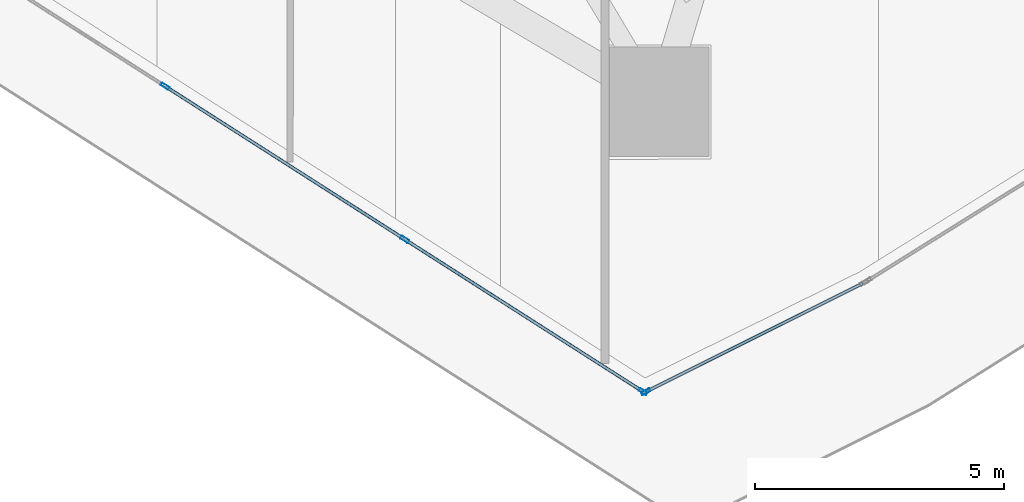
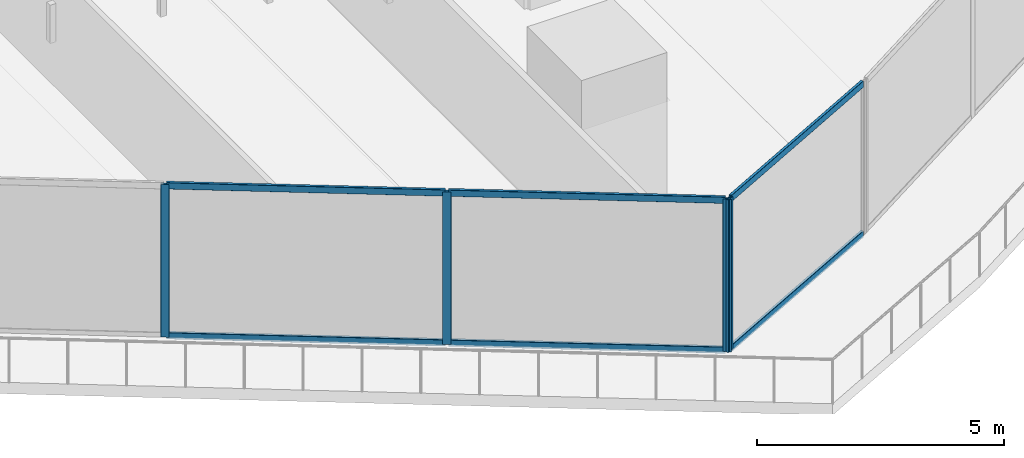
# One storey, part 7 of 45: 10 members, 2 elements without a shape of their own.
"""IFC4 building model written with IfcOpenShell, lengths in metres."""

from ifc_helpers import new_model, si_unit, direction, frame, origin, origin_2d, place, context, subcontext, project, spatial, hollow_rectangle, extrude, material, layer, layer_set, material_profile, profile_set, type_object, element, aggregate, save


model = new_model("IFC4")

# Units and contexts
model_context = context("Model", 3, precision=1e-05, world=origin(), true_north=direction((0.0, 1.0)))
body_context = subcontext(model_context, "Body", "Model", "MODEL_VIEW")
ifc_project = project(units=[si_unit("LENGTHUNIT", "METRE"), si_unit("AREAUNIT", "SQUARE_METRE"), si_unit("VOLUMEUNIT", "CUBIC_METRE"), si_unit("PLANEANGLEUNIT", "RADIAN"), si_unit("MASSUNIT", "GRAM", prefix="KILO")], contexts=[model_context])

# Site, building, storey
site_placement = place(None, origin())
site = spatial("IfcSite", under=ifc_project, at=site_placement, CompositionType="ELEMENT")
building_placement = place(site_placement, origin())
building = spatial("IfcBuilding", under=site, at=building_placement, Name="Qorvath Tower", CompositionType="ELEMENT")
storey_placement = place(building_placement, frame((0.0, 0.0, 109.800048828125)))
storey = spatial("IfcBuildingStorey", under=building, at=storey_placement, Name="L24", CompositionType="ELEMENT", Elevation=109.800048828125)

# Curtain wall, members
ifc_material_1 = material(Name="Anodised aluminium and triple low-E glass", Category="aluminium")
ifc_layer = layer(ifc_material_1, 0.179931640625)
ifc_layer_set = layer_set([ifc_layer], Name="CW-SYS-2")
curtain_wall_type = type_object("IfcCurtainWallType", Name="CW-SYS-2", PredefinedType="NOTDEFINED", material=ifc_layer_set)
curtain_wall_1_placement = place(storey_placement, origin())
curtain_wall_1 = element("IfcCurtainWall", 1, at=curtain_wall_1_placement, inside=storey, type_object=curtain_wall_type, Name="Curtain Wall CW-2 CW-T-L24-2.2", PredefinedType="NOTDEFINED")
ifc_material_2 = material(Name="Anodised aluminium 6063-T6", Category="aluminium")
ifc_material_profile_1 = material_profile(ifc_material_2, hollow_rectangle(XDim=0.06494140625, YDim=0.179931640625, WallThickness=0.00341796875, InnerFilletRadius=0.00341796875, OuterFilletRadius=0.007080078125, at=origin_2d()), Name="CWM 180x65")
ifc_profile_set_1 = profile_set([ifc_material_profile_1], Name="Anodised aluminium 6063-T6")
member_type_1 = type_object("IfcMemberType", Name="CWM-180", PredefinedType="MULLION", material=ifc_profile_set_1)
member_1_placement = place(storey_placement, frame((-25.2607421875, -24.93115234375, 0.0), z_axis=(0.0, 0.0, 1.0), x_axis=(0.538538275895, 0.842601047588, 0.0)))
member_1 = element("IfcMember", 2, at=member_1_placement, type_object=member_type_1, Name="CW-2 mullion 3", PredefinedType="MULLION", context=body_context, shape_type="SweptSolid", body=[
    extrude(hollow_rectangle(XDim=0.06494140625, YDim=0.179931640625, WallThickness=0.00341796875, InnerFilletRadius=0.00341796875, OuterFilletRadius=0.007080078125, at=origin_2d()), origin(), (0.0, 0.0, 1.0), 3.77001953125),
])
member_2_placement = place(storey_placement, frame((-20.450439453125, -28.005859375, 0.0), z_axis=(0.0, 0.0, 1.0), x_axis=(0.538538275895, 0.842601047588, 0.0)))
member_2 = element("IfcMember", 3, at=member_2_placement, type_object=member_type_1, Name="CW-2 mullion 4", PredefinedType="MULLION", context=body_context, shape_type="SweptSolid", body=[
    extrude(hollow_rectangle(XDim=0.06494140625, YDim=0.179931640625, WallThickness=0.00341796875, InnerFilletRadius=0.00341796875, OuterFilletRadius=0.007080078125, at=origin_2d()), origin(), (0.0, 0.0, 1.0), 3.77001953125),
])
member_3_placement = place(storey_placement, frame((-15.667236328125, -31.062744140625, 0.0), z_axis=(0.0, 0.0, 1.0), x_axis=(0.538538275895, 0.842601047588, 0.0)))
member_3 = element("IfcMember", 4, at=member_3_placement, type_object=member_type_1, Name="CW-2 mullion 5", PredefinedType="MULLION", context=body_context, shape_type="SweptSolid", body=[
    extrude(hollow_rectangle(XDim=0.06494140625, YDim=0.179931640625, WallThickness=0.00341796875, InnerFilletRadius=0.00341796875, OuterFilletRadius=0.007080078125, at=origin_2d()), origin(), (0.0, 0.0, 1.0), 3.77001953125),
])

# Curtain wall, member
curtain_wall_2_placement = place(storey_placement, origin())
curtain_wall_2 = element("IfcCurtainWall", 5, at=curtain_wall_2_placement, inside=storey, type_object=curtain_wall_type, Name="Curtain Wall CW-2 CW-T-L24-3.1", PredefinedType="NOTDEFINED")
member_4_placement = place(storey_placement, frame((-15.61083984375, -31.065673828125, 0.0), z_axis=(0.0, 0.0, 1.0), x_axis=(-0.447181364469, 0.89444330579, 0.0)))
member_4 = element("IfcMember", 6, at=member_4_placement, type_object=member_type_1, Name="CW-2 mullion 1", PredefinedType="MULLION", context=body_context, shape_type="SweptSolid", body=[
    extrude(hollow_rectangle(XDim=0.06494140625, YDim=0.179931640625, WallThickness=0.00341796875, InnerFilletRadius=0.00341796875, OuterFilletRadius=0.007080078125, at=origin_2d()), origin(), (0.0, 0.0, 1.0), 3.77001953125),
])

# Member
ifc_material_3 = material(Name="Anodised aluminium 6063-T6", Category="aluminium")
ifc_material_profile_2 = material_profile(ifc_material_3, hollow_rectangle(XDim=0.06494140625, YDim=0.159912109375, WallThickness=0.00341796875, InnerFilletRadius=0.00341796875, OuterFilletRadius=0.007080078125, at=origin_2d()), Name="CWT 160x65")
ifc_profile_set_2 = profile_set([ifc_material_profile_2], Name="Anodised aluminium 6063-T6")
member_type_2 = type_object("IfcMemberType", Name="CWT-160", PredefinedType="USERDEFINED", material=ifc_profile_set_2)
member_5_placement = place(storey_placement, frame((-25.2333984375, -24.94873046875, 0.032470703125), z_axis=(0.84259648245, -0.538545418477, 0.0), x_axis=(0.538545418477, 0.84259648245, 0.0)))
member_5 = element("IfcMember", 7, at=member_5_placement, type_object=member_type_2, Name="CW-2 transom 3.1", ObjectType="TRANSOM", PredefinedType="USERDEFINED", context=body_context, shape_type="SweptSolid", body=[
    extrude(hollow_rectangle(XDim=0.06494140625, YDim=0.159912109375, WallThickness=0.00341796875, InnerFilletRadius=0.00341796875, OuterFilletRadius=0.007080078125, at=origin_2d()), origin(), (0.0, 0.0, 1.0), 5.64404296875),
])

member_6_placement = place(storey_placement, frame((-25.2333984375, -24.94873046875, 3.737548828125), z_axis=(0.84259648245, -0.538545418477, 0.0), x_axis=(0.538545418477, 0.84259648245, 0.0)))
member_6 = element("IfcMember", 8, at=member_6_placement, type_object=member_type_2, Name="CW-2 transom 3.2", ObjectType="TRANSOM", PredefinedType="USERDEFINED", context=body_context, shape_type="SweptSolid", body=[
    extrude(hollow_rectangle(XDim=0.06494140625, YDim=0.159912109375, WallThickness=0.00341796875, InnerFilletRadius=0.00341796875, OuterFilletRadius=0.007080078125, at=origin_2d()), origin(), (0.0, 0.0, 1.0), 5.64404296875),
])

member_7_placement = place(storey_placement, frame((-20.4228515625, -28.023193359375, 0.032470703125), z_axis=(0.842584937401, -0.538563481184, 0.0), x_axis=(0.538563481184, 0.842584937401, 0.0)))
member_7 = element("IfcMember", 9, at=member_7_placement, type_object=member_type_2, Name="CW-2 transom 4.1", ObjectType="TRANSOM", PredefinedType="USERDEFINED", context=body_context, shape_type="SweptSolid", body=[
    extrude(hollow_rectangle(XDim=0.06494140625, YDim=0.159912109375, WallThickness=0.00341796875, InnerFilletRadius=0.00341796875, OuterFilletRadius=0.007080078125, at=origin_2d()), origin(), (0.0, 0.0, 1.0), 5.611572265625),
])

member_8_placement = place(storey_placement, frame((-20.4228515625, -28.023193359375, 3.737548828125), z_axis=(0.842584937401, -0.538563481184, 0.0), x_axis=(0.538563481184, 0.842584937401, 0.0)))
member_8 = element("IfcMember", 10, at=member_8_placement, type_object=member_type_2, Name="CW-2 transom 4.2", ObjectType="TRANSOM", PredefinedType="USERDEFINED", context=body_context, shape_type="SweptSolid", body=[
    extrude(hollow_rectangle(XDim=0.06494140625, YDim=0.159912109375, WallThickness=0.00341796875, InnerFilletRadius=0.00341796875, OuterFilletRadius=0.007080078125, at=origin_2d()), origin(), (0.0, 0.0, 1.0), 5.611572265625),
])

aggregate(curtain_wall_1, [member_1, member_2, member_3, member_5, member_6, member_7, member_8])

member_9_placement = place(storey_placement, frame((-15.581787109375, -31.05126953125, 0.032470703125), z_axis=(0.894437291131, 0.447193394668, 0.0), x_axis=(-0.447193394668, 0.894437291131, 0.0)))
member_9 = element("IfcMember", 11, at=member_9_placement, type_object=member_type_2, Name="CW-2 transom 1.1", ObjectType="TRANSOM", PredefinedType="USERDEFINED", context=body_context, shape_type="SweptSolid", body=[
    extrude(hollow_rectangle(XDim=0.06494140625, YDim=0.159912109375, WallThickness=0.00341796875, InnerFilletRadius=0.00341796875, OuterFilletRadius=0.007080078125, at=origin_2d()), origin(), (0.0, 0.0, 1.0), 4.834228515625),
])

member_10_placement = place(storey_placement, frame((-15.581787109375, -31.05126953125, 3.737548828125), z_axis=(0.894437291131, 0.447193394668, 0.0), x_axis=(-0.447193394668, 0.894437291131, 0.0)))
member_10 = element("IfcMember", 12, at=member_10_placement, type_object=member_type_2, Name="CW-2 transom 1.2", ObjectType="TRANSOM", PredefinedType="USERDEFINED", context=body_context, shape_type="SweptSolid", body=[
    extrude(hollow_rectangle(XDim=0.06494140625, YDim=0.159912109375, WallThickness=0.00341796875, InnerFilletRadius=0.00341796875, OuterFilletRadius=0.007080078125, at=origin_2d()), origin(), (0.0, 0.0, 1.0), 4.834228515625),
])

aggregate(curtain_wall_2, [member_4, member_9, member_10])

save(model, "model.ifc")
